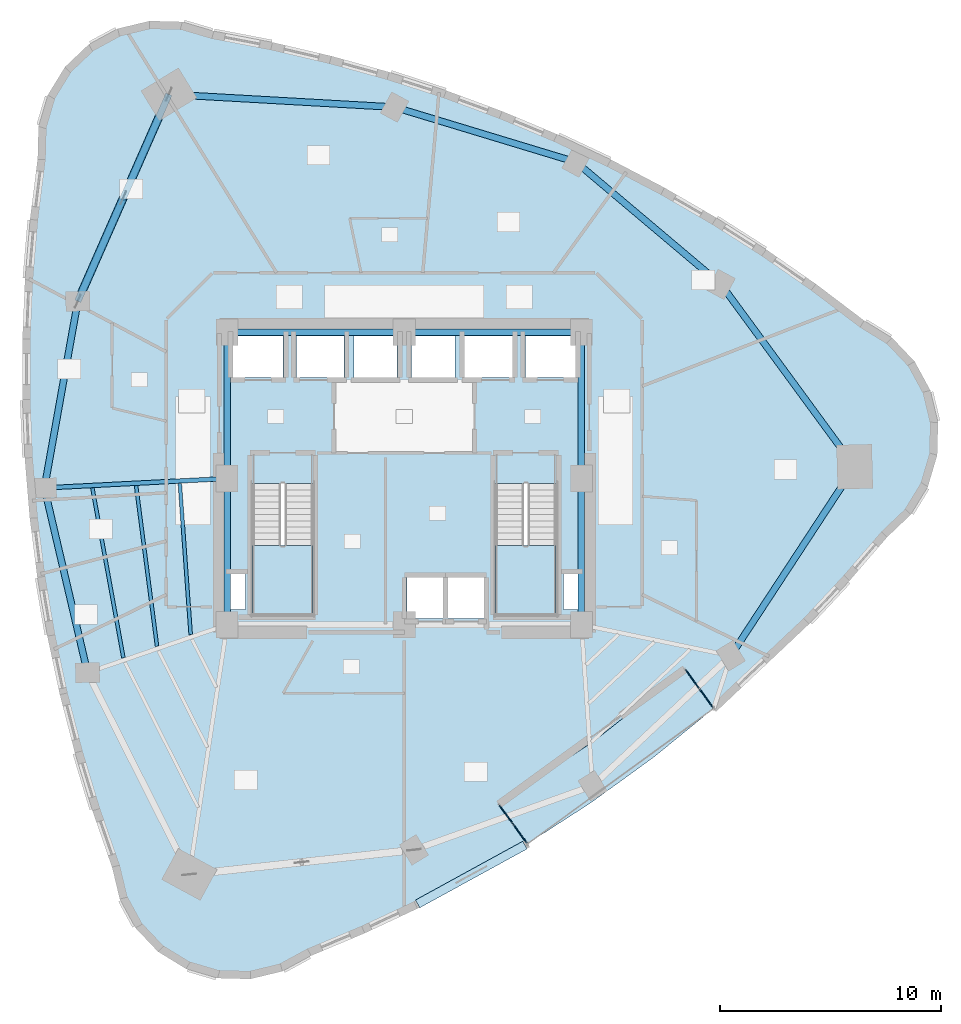
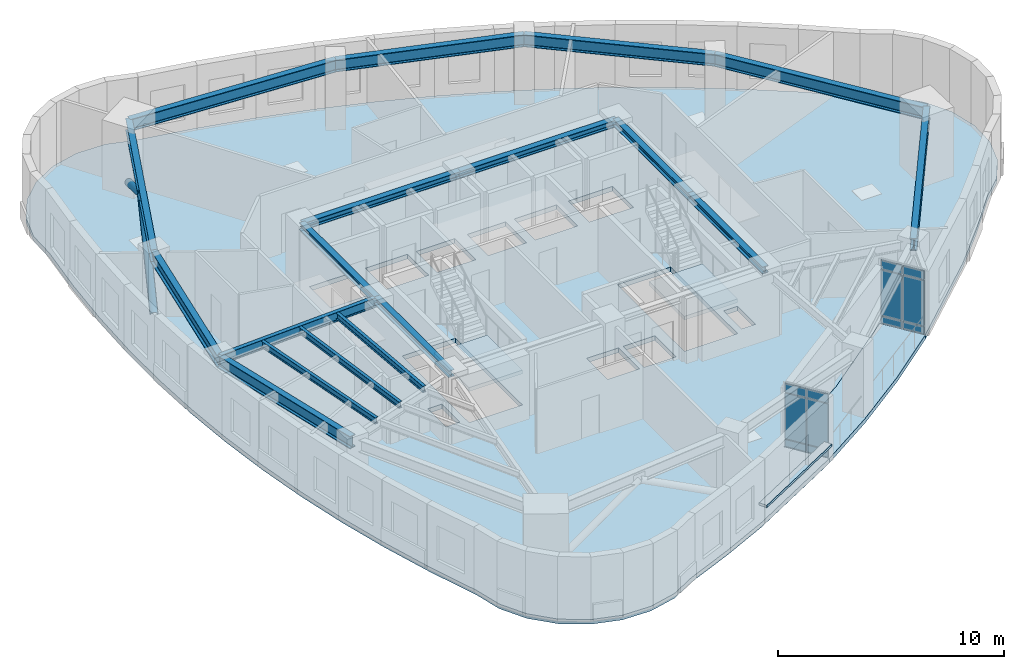
# One storey, part 4 of 12: 18 beams, 13 plates, 4 slabs, 2 members, 4 elements without a shape of their own.
"""IFC4 building model written with IfcOpenShell, lengths in metres."""

import ifcopenshell
import ifcopenshell.guid

model = None  # the IFC model being written
_history = None  # IfcOwnerHistory: only IFC2X3 demands one
_inside = {}  # id of a spatial element -> (the spatial element, [elements in it])
_under = {}  # id of a project, library or spatial element -> (it, [spatial elements below it])
_declared = {}  # id of a project -> (the project, [libraries it declares])
_typed = {}  # id of a type object -> (the type object, [elements of that type])
_made_of = {}  # id of a material, layer set ... -> (it, [elements and type objects made of it])


def new_model(schema):
    """Start an empty IFC model of exactly this schema.

    Asked for "IFC4X3", IfcOpenShell would pick the latest addendum, in which some entities
    have other attributes; the version numbers below select the first issue.
    IFC2X3 requires an IfcOwnerHistory on every rooted entity: one is made here for all.
    """
    global model, _history
    if schema == "IFC4X3":
        model = ifcopenshell.file(schema_version=(4, 3, 0, 0))
    else:
        model = ifcopenshell.file(schema=schema)
    _inside.clear()
    _under.clear()
    _declared.clear()
    _typed.clear()
    _made_of.clear()
    _history = None
    if model.schema == "IFC2X3":
        org = make("IfcOrganization", Name="unknown")
        user = make(
            "IfcPersonAndOrganization",
            ThePerson=make("IfcPerson", FamilyName="unknown"),
            TheOrganization=org,
        )
        app = make(
            "IfcApplication",
            ApplicationDeveloper=org,
            Version="unknown",
            ApplicationFullName="unknown",
            ApplicationIdentifier="unknown",
        )
        _history = make(
            "IfcOwnerHistory",
            OwningUser=user,
            OwningApplication=app,
            ChangeAction="ADDED",
            CreationDate=0,
        )
    return model


def make(cls, **values):
    """One entity of the class cls with the attributes given. An attribute that is None is left unset."""
    return model.create_entity(
        cls, **{name: value for name, value in values.items() if value is not None}
    )


def rooted(cls, **values):
    """An entity with a GlobalId (a new one), such as an element, a storey or a relation."""
    return make(cls, GlobalId=ifcopenshell.guid.new(), OwnerHistory=_history, **values)


def si_unit(unit_type, name, prefix=None):
    """IfcSIUnit, for example si_unit("LENGTHUNIT", "METRE", prefix="MILLI")."""
    return make("IfcSIUnit", UnitType=unit_type, Prefix=prefix, Name=name)


def assignment(units):
    """IfcUnitAssignment: the units of a project."""
    return None if units is None else make("IfcUnitAssignment", Units=units)


def point(xyz):
    """IfcCartesianPoint."""
    return None if xyz is None else make("IfcCartesianPoint", Coordinates=xyz)


def direction(xyz):
    """IfcDirection."""
    return None if xyz is None else make("IfcDirection", DirectionRatios=xyz)


def frame(location, z_axis=None, x_axis=None):
    """IfcAxis2Placement3D, a coordinate frame: its origin and axes. An axis left out is left unset."""
    return make(
        "IfcAxis2Placement3D",
        Location=point(location),
        Axis=direction(z_axis),
        RefDirection=direction(x_axis),
    )


def frame_2d(location, x_axis=None):
    """IfcAxis2Placement2D, a coordinate frame in the plane: its origin and x axis."""
    return make(
        "IfcAxis2Placement2D", Location=point(location), RefDirection=direction(x_axis)
    )


def origin():
    """The frame at (0, 0, 0) with its axes left unset."""
    return frame((0.0, 0.0, 0.0))


def origin_2d():
    """The frame at (0, 0) in the plane with its x axis left unset."""
    return frame_2d((0.0, 0.0))


def place(relative_to, where):
    """IfcLocalPlacement: puts the frame where relative to a parent placement (None: the world)."""
    return make(
        "IfcLocalPlacement", PlacementRelTo=relative_to, RelativePlacement=where
    )


def context(
    kind, dimensions, precision=None, world=None, true_north=None, identifier=None
):
    """IfcGeometricRepresentationContext, for example the 3D "Model" context."""
    return make(
        "IfcGeometricRepresentationContext",
        ContextIdentifier=identifier,
        ContextType=kind,
        CoordinateSpaceDimension=dimensions,
        Precision=precision,
        WorldCoordinateSystem=world,
        TrueNorth=true_north,
    )


def subcontext(parent, identifier, kind, view, scale=None):
    """IfcGeometricRepresentationSubContext, for example "Body" below "Model"."""
    return make(
        "IfcGeometricRepresentationSubContext",
        ContextIdentifier=identifier,
        ContextType=kind,
        ParentContext=parent,
        TargetScale=scale,
        TargetView=view,
    )


def project(units=None, contexts=None):
    """IfcProject with its units and contexts."""
    return rooted(
        "IfcProject",
        Name="project",
        RepresentationContexts=contexts,
        UnitsInContext=assignment(units),
    )


def spatial(cls, under=None, at=None, **own):
    """A site, building, storey or space (cls), placed at a placement, below another one or the project."""
    s = rooted(cls, ObjectPlacement=at, **own)
    if under is not None:
        _under.setdefault(under.id(), (under, []))[1].append(s)
    return s


def polyline(points):
    """IfcPolyline through the points."""
    return make("IfcPolyline", Points=[point(p) for p in points])


def profile(cls, at=None, kind="AREA", **sizes):
    """A parametric profile (cls). Its sizes go by their IFC names, for example OverallWidth=200.0."""
    return make(cls, ProfileType=kind, Position=at, **sizes)


def rectangle(**sizes):
    """IfcRectangleProfileDef."""
    return profile("IfcRectangleProfileDef", **sizes)


def hollow_circle(**sizes):
    """IfcCircleHollowProfileDef."""
    return profile("IfcCircleHollowProfileDef", **sizes)


def i_section(**sizes):
    """IfcIShapeProfileDef."""
    return profile("IfcIShapeProfileDef", **sizes)


def outline(outer, holes=None, kind="AREA"):
    """IfcArbitraryClosedProfileDef: a profile drawn as a closed curve; with holes, ...WithVoids."""
    if holes is None:
        return make("IfcArbitraryClosedProfileDef", ProfileType=kind, OuterCurve=outer)
    return make(
        "IfcArbitraryProfileDefWithVoids",
        ProfileType=kind,
        OuterCurve=outer,
        InnerCurves=holes,
    )


def extrude(swept, where, along, depth):
    """IfcExtrudedAreaSolid: the profile swept, set in the frame where, extruded along a direction by depth."""
    return make(
        "IfcExtrudedAreaSolid",
        SweptArea=swept,
        Position=where,
        ExtrudedDirection=direction(along),
        Depth=depth,
    )


def shape(context_of_items, identifier, shape_type, items):
    """IfcShapeRepresentation: the items that make up one representation, for example the "Body"."""
    return make(
        "IfcShapeRepresentation",
        ContextOfItems=context_of_items,
        RepresentationIdentifier=identifier,
        RepresentationType=shape_type,
        Items=items,
    )


def material(Name=None, Category=None):
    """IfcMaterial."""
    return make("IfcMaterial", Name=Name, Category=Category)


def layer(
    of_material, thickness, ventilated=None, Name=None, Category=None, Priority=None
):
    """IfcMaterialLayer: one layer of a wall or slab, of a material (None: an air gap)."""
    return make(
        "IfcMaterialLayer",
        Material=of_material,
        LayerThickness=thickness,
        IsVentilated=ventilated,
        Name=Name,
        Category=Category,
        Priority=Priority,
    )


def layer_set(layers, Name=None):
    """IfcMaterialLayerSet."""
    return make("IfcMaterialLayerSet", MaterialLayers=layers, LayerSetName=Name)


def material_profile(
    of_material, cross_section, Name=None, Category=None, Priority=None
):
    """IfcMaterialProfile: a cross section and its material."""
    return make(
        "IfcMaterialProfile",
        Name=Name,
        Material=of_material,
        Profile=cross_section,
        Priority=Priority,
        Category=Category,
    )


def profile_set(profiles, Name=None, composite=None):
    """IfcMaterialProfileSet."""
    return make(
        "IfcMaterialProfileSet",
        Name=Name,
        MaterialProfiles=profiles,
        CompositeProfile=composite,
    )


def made_of(thing, what):
    """Note that an element or type object is made of a material, layer set ...; save() writes the relation."""
    if what is not None:
        _made_of.setdefault(what.id(), (what, []))[1].append(thing)
    return thing


def type_object(cls, material=None, **own):
    """A type object (cls), such as IfcWallType, which elements share."""
    return made_of(rooted(cls, **own), material)


def element(
    cls,
    number,
    at=None,
    inside=None,
    cuts=None,
    type_object=None,
    material=None,
    context=None,
    identifier="Body",
    shape_type=None,
    held_by="IfcProductDefinitionShape",
    body=None,
    shapes=None,
    **own,
):
    """One element of the class cls, such as IfcWall. Its Tag is "e" and its number.

    at: its placement. inside: the storey or other place that contains it. cuts: it is an
    opening in that element (IfcRelVoidsElement). A single representation is given by context,
    identifier, shape_type and body (its items); several are given by shapes. held_by: the class
    of the entity that holds the representations. save() writes the other relations.
    """
    e = rooted(cls, Tag="e%d" % number, ObjectPlacement=at, **own)
    if body is not None:
        shapes = [shape(context, identifier, shape_type, body)]
    if shapes is not None:
        e.Representation = make(held_by, Representations=shapes)
    if inside is not None:
        _inside.setdefault(inside.id(), (inside, []))[1].append(e)
    if cuts is not None:
        rooted(
            "IfcRelVoidsElement", RelatingBuildingElement=cuts, RelatedOpeningElement=e
        )
    if type_object is not None:
        _typed.setdefault(type_object.id(), (type_object, []))[1].append(e)
    return made_of(e, material)


def aggregate(whole, parts):
    """IfcRelAggregates: a whole, such as a stair, and the parts it consists of."""
    return rooted("IfcRelAggregates", RelatingObject=whole, RelatedObjects=parts)


def save(model, path):
    """Write the relations noted so far, then the file.

    IfcRelAggregates (storeys below a building ...), IfcRelContainedInSpatialStructure (elements
    in a storey), IfcRelDefinesByType, IfcRelAssociatesMaterial and IfcRelDeclares: one each for
    every whole, place, type object, material and project.
    """
    for whole, parts in _under.values():
        aggregate(whole, parts)
    for where, things in _inside.values():
        rooted(
            "IfcRelContainedInSpatialStructure",
            RelatedElements=things,
            RelatingStructure=where,
        )
    for kind, things in _typed.values():
        rooted("IfcRelDefinesByType", RelatedObjects=things, RelatingType=kind)
    for what, things in _made_of.values():
        rooted("IfcRelAssociatesMaterial", RelatedObjects=things, RelatingMaterial=what)
    for by, libraries in _declared.values():
        rooted("IfcRelDeclares", RelatingContext=by, RelatedDefinitions=libraries)
    model.write(path)


model = new_model("IFC4")

# Units and contexts
model_context = context("Model", 3, precision=1e-05, world=origin(), true_north=direction((0.0, 1.0)))
body_context = subcontext(model_context, "Body", "Model", "MODEL_VIEW")
ifc_project = project(units=[si_unit("LENGTHUNIT", "METRE"), si_unit("AREAUNIT", "SQUARE_METRE"), si_unit("VOLUMEUNIT", "CUBIC_METRE"), si_unit("PLANEANGLEUNIT", "RADIAN"), si_unit("MASSUNIT", "GRAM", prefix="KILO")], contexts=[model_context])

# Site, building, storey
site_placement = place(None, origin())
site = spatial("IfcSite", under=ifc_project, at=site_placement, CompositionType="ELEMENT")
building_placement = place(site_placement, origin())
building = spatial("IfcBuilding", under=site, at=building_placement, Name="Ndelora Gate Hotel", CompositionType="ELEMENT")
storey_placement = place(building_placement, frame((0.0, 0.0, 149.75)))
storey = spatial("IfcBuildingStorey", under=building, at=storey_placement, Name="L37", CompositionType="ELEMENT", Elevation=149.75)

# Beams
ifc_material_1 = material(Name="Steel S355", Category="steel")
ifc_material_profile_1 = material_profile(ifc_material_1, i_section(OverallWidth=0.300048828125, OverallDepth=0.360107421875, WebThickness=0.012451171875, FlangeThickness=0.0224609375, FilletRadius=0.027099609375, at=origin_2d()), Name="HEB 360")
ifc_profile_set_1 = profile_set([ifc_material_profile_1], Name="Steel S355")
beam_type_1 = type_object("IfcBeamType", Name="BM-CORE-360", PredefinedType="BEAM", material=ifc_profile_set_1)
for number, where, z_axis, x_axis, name in (
    (1, (-8.0, 6.60009765625, 3.320068359375), (1.0, 0.0, 0.0), (0.0, 1.0, 0.0), "L37 Core Tie Girder CC7-CC6"),
    (2, (0.0, 6.60009765625, 3.320068359375), (1.0, 0.0, 0.0), (0.0, 1.0, 0.0), "L37 Core Tie Girder CC6-CC5"),
):
    element("IfcBeam", number, at=place(storey_placement, frame(where, z_axis=z_axis, x_axis=x_axis)), inside=storey, type_object=beam_type_1, Name=name, PredefinedType="BEAM", context=body_context, shape_type="SweptSolid", body=[
        extrude(i_section(OverallWidth=0.300048828125, OverallDepth=0.360107421875, WebThickness=0.012451171875, FlangeThickness=0.0224609375, FilletRadius=0.027099609375, at=origin_2d()), origin(), (0.0, 0.0, 1.0), 8.0),
    ])
for number, where, z_axis, x_axis, name in (
    (3, (-8.0, -6.60009765625, 3.320068359375), (0.0, 1.0, 0.0), (-1.0, 0.0, 0.0), "L37 Core Tie Girder CC1-CC8"),
    (4, (-8.0, 0.0, 3.320068359375), (0.0, 1.0, 0.0), (-1.0, 0.0, 0.0), "L37 Core Tie Girder CC8-CC7"),
    (5, (8.0, -6.60009765625, 3.320068359375), (0.0, 1.0, 0.0), (-1.0, 0.0, 0.0), "L37 Core Tie Girder CC3-CC4"),
    (6, (8.0, 0.0, 3.320068359375), (0.0, 1.0, 0.0), (-1.0, 0.0, 0.0), "L37 Core Tie Girder CC4-CC5"),
):
    element("IfcBeam", number, at=place(storey_placement, frame(where, z_axis=z_axis, x_axis=x_axis)), inside=storey, type_object=beam_type_1, Name=name, PredefinedType="BEAM", context=body_context, shape_type="SweptSolid", body=[
        extrude(i_section(OverallWidth=0.300048828125, OverallDepth=0.360107421875, WebThickness=0.012451171875, FlangeThickness=0.0224609375, FilletRadius=0.027099609375, at=origin_2d()), origin(), (0.0, 0.0, 1.0), 6.60009765625),
    ])
ifc_material_profile_2 = material_profile(ifc_material_1, i_section(OverallWidth=0.159912109375, OverallDepth=0.330078125, WebThickness=0.007568359375, FlangeThickness=0.011474609375, FilletRadius=0.01806640625, at=origin_2d()), Name="IPE 330")
ifc_profile_set_2 = profile_set([ifc_material_profile_2], Name="Steel S355")
beam_type_2 = type_object("IfcBeamType", Name="BM-JST-330", PredefinedType="JOIST", material=ifc_profile_set_2)
beam_1_placement = place(storey_placement, frame((-10.138427734375, -0.220458984375, 3.3349609375), z_axis=(0.07162945927, -0.997431311201, 0.0), x_axis=(0.997431311201, 0.07162945927, 0.0)))
element("IfcBeam", 7, at=beam_1_placement, inside=storey, type_object=beam_type_2, Name="L37 Secondary Composite Floor Joist IN-3", PredefinedType="JOIST", context=body_context, shape_type="SweptSolid", body=[
    extrude(i_section(OverallWidth=0.159912109375, OverallDepth=0.330078125, WebThickness=0.007568359375, FlangeThickness=0.011474609375, FilletRadius=0.01806640625, at=origin_2d()), origin(), (0.0, 0.0, 1.0), 6.850830078125),
])
beam_2_placement = place(storey_placement, frame((-12.113525390625, -0.322021484375, 3.3349609375), z_axis=(0.12927924943, -0.991608226906, 0.0), x_axis=(0.991608226906, 0.12927924943, 0.0)))
element("IfcBeam", 8, at=beam_2_placement, inside=storey, type_object=beam_type_2, Name="L37 Secondary Composite Floor Joist MID-3", PredefinedType="JOIST", context=body_context, shape_type="SweptSolid", body=[
    extrude(i_section(OverallWidth=0.159912109375, OverallDepth=0.330078125, WebThickness=0.007568359375, FlangeThickness=0.011474609375, FilletRadius=0.01806640625, at=origin_2d()), origin(), (0.0, 0.0, 1.0), 7.31396484375),
])
beam_3_placement = place(storey_placement, frame((-14.089111328125, -0.423095703125, 3.3349609375), z_axis=(0.179733770179, -0.983715290039, 0.0), x_axis=(0.983715290039, 0.179733770179, 0.0)))
element("IfcBeam", 9, at=beam_3_placement, inside=storey, type_object=beam_type_2, Name="L37 Secondary Composite Floor Joist OUT-3", PredefinedType="JOIST", context=body_context, shape_type="SweptSolid", body=[
    extrude(i_section(OverallWidth=0.159912109375, OverallDepth=0.330078125, WebThickness=0.007568359375, FlangeThickness=0.011474609375, FilletRadius=0.01806640625, at=origin_2d()), origin(), (0.0, 0.0, 1.0), 7.799560546875),
])
ifc_material_profile_3 = material_profile(ifc_material_1, i_section(OverallWidth=0.199951171875, OverallDepth=0.5, WebThickness=0.01025390625, FlangeThickness=0.01611328125, FilletRadius=0.02099609375, at=origin_2d()), Name="IPE 500")
ifc_profile_set_3 = profile_set([ifc_material_profile_3], Name="Steel S355")
beam_type_3 = type_object("IfcBeamType", Name="BM-RAD-500", PredefinedType="BEAM", material=ifc_profile_set_3)
beam_4_placement = place(storey_placement, frame((-8.0, 0.0, 3.25), z_axis=(-0.998672591881, -0.051507807424, 0.0), x_axis=(0.051507807424, -0.998672591881, 0.0)))
element("IfcBeam", 10, at=beam_4_placement, inside=storey, type_object=beam_type_3, Name="L37 Radial Floor Girder 3", PredefinedType="BEAM", context=body_context, shape_type="SweptSolid", body=[
    extrude(i_section(OverallWidth=0.199951171875, OverallDepth=0.5, WebThickness=0.01025390625, FlangeThickness=0.01611328125, FilletRadius=0.02099609375, at=origin_2d()), origin(), (0.0, 0.0, 1.0), 8.266357421875),
])
ifc_material_profile_4 = material_profile(ifc_material_1, i_section(OverallWidth=0.300048828125, OverallDepth=0.64990234375, WebThickness=0.01611328125, FlangeThickness=0.031005859375, FilletRadius=0.027099609375, at=origin_2d()), Name="HEB 650")
ifc_profile_set_4 = profile_set([ifc_material_profile_4], Name="Steel S355")
beam_type_4 = type_object("IfcBeamType", Name="BM-RING-650", PredefinedType="SPANDREL", material=ifc_profile_set_4)
beam_5_placement = place(storey_placement, frame((-10.63330078125, 17.351806640625, 3.175048828125), z_axis=(-0.402852396707, -0.915264959707, 0.0), x_axis=(0.915264959707, -0.402852396707, 0.0)))
element("IfcBeam", 11, at=beam_5_placement, inside=storey, type_object=beam_type_4, Name="L37 Perimeter Spandrel Girder 1", PredefinedType="SPANDREL", context=body_context, shape_type="SweptSolid", body=[
    extrude(i_section(OverallWidth=0.300048828125, OverallDepth=0.64990234375, WebThickness=0.01611328125, FlangeThickness=0.031005859375, FilletRadius=0.027099609375, at=origin_2d()), origin(), (0.0, 0.0, 1.0), 10.21044921875),
])
beam_6_placement = place(storey_placement, frame((-14.74658203125, 8.006591796875, 3.175048828125), z_axis=(-0.176130938817, -0.984366746894, 0.0), x_axis=(0.984366746894, -0.176130938817, 0.0)))
element("IfcBeam", 12, at=beam_6_placement, inside=storey, type_object=beam_type_4, Name="L37 Perimeter Spandrel Girder 2", PredefinedType="SPANDREL", context=body_context, shape_type="SweptSolid", body=[
    extrude(i_section(OverallWidth=0.300048828125, OverallDepth=0.64990234375, WebThickness=0.01611328125, FlangeThickness=0.031005859375, FilletRadius=0.027099609375, at=origin_2d()), origin(), (0.0, 0.0, 1.0), 8.56640625),
])
beam_7_placement = place(storey_placement, frame((-16.25537109375, -0.42578125, 3.175048828125), z_axis=(0.227404398157, -0.973800410607, 0.0), x_axis=(0.973800410607, 0.227404398157, 0.0)))
element("IfcBeam", 13, at=beam_7_placement, inside=storey, type_object=beam_type_4, Name="L37 Perimeter Spandrel Girder 3", PredefinedType="SPANDREL", context=body_context, shape_type="SweptSolid", body=[
    extrude(i_section(OverallWidth=0.300048828125, OverallDepth=0.64990234375, WebThickness=0.01611328125, FlangeThickness=0.031005859375, FilletRadius=0.027099609375, at=origin_2d()), origin(), (0.0, 0.0, 1.0), 8.566162109375),
])
for number, where, z_axis, x_axis, name in (
    (14, (14.74658203125, -8.006591796875, 3.175048828125), (0.548194123818, 0.836351123998, 0.0), (-0.836351123998, 0.548194123818, 0.0), "L37 Perimeter Spandrel Girder 8"),
    (15, (20.34375, 0.53271484375, 3.175048828125), (-0.591229932094, 0.806503048597, 0.0), (-0.806503048597, -0.591229932094, 0.0), "L37 Perimeter Spandrel Girder 9"),
):
    element("IfcBeam", number, at=place(storey_placement, frame(where, z_axis=z_axis, x_axis=x_axis)), inside=storey, type_object=beam_type_4, Name=name, PredefinedType="SPANDREL", context=body_context, shape_type="SweptSolid", body=[
        extrude(i_section(OverallWidth=0.300048828125, OverallDepth=0.64990234375, WebThickness=0.01611328125, FlangeThickness=0.031005859375, FilletRadius=0.027099609375, at=origin_2d()), origin(), (0.0, 0.0, 1.0), 10.210205078125),
    ])
beam_8_placement = place(storey_placement, frame((14.30712890625, 8.767333984375, 3.175048828125), z_axis=(-0.76440691948, 0.644734101356, 0.0), x_axis=(-0.644734101356, -0.76440691948, 0.0)))
element("IfcBeam", 16, at=beam_8_placement, inside=storey, type_object=beam_type_4, Name="L37 Perimeter Spandrel Girder 10", PredefinedType="SPANDREL", context=body_context, shape_type="SweptSolid", body=[
    extrude(i_section(OverallWidth=0.300048828125, OverallDepth=0.64990234375, WebThickness=0.01611328125, FlangeThickness=0.031005859375, FilletRadius=0.027099609375, at=origin_2d()), origin(), (0.0, 0.0, 1.0), 8.566162109375),
])
beam_9_placement = place(storey_placement, frame((7.759033203125, 14.290283203125, 3.175048828125), z_axis=(-0.957030396662, 0.289987620192, 0.0), x_axis=(-0.289987620192, -0.957030396662, 0.0)))
element("IfcBeam", 17, at=beam_9_placement, inside=storey, type_object=beam_type_4, Name="L37 Perimeter Spandrel Girder 11", PredefinedType="SPANDREL", context=body_context, shape_type="SweptSolid", body=[
    extrude(i_section(OverallWidth=0.300048828125, OverallDepth=0.64990234375, WebThickness=0.01611328125, FlangeThickness=0.031005859375, FilletRadius=0.027099609375, at=origin_2d()), origin(), (0.0, 0.0, 1.0), 8.56640625),
])
beam_10_placement = place(storey_placement, frame((-0.439208984375, 16.7744140625, 3.175048828125), z_axis=(-0.998399808671, 0.056549288648, 0.0), x_axis=(-0.056549288648, -0.998399808671, 0.0)))
element("IfcBeam", 18, at=beam_10_placement, inside=storey, type_object=beam_type_4, Name="L37 Perimeter Spandrel Girder 12", PredefinedType="SPANDREL", context=body_context, shape_type="SweptSolid", body=[
    extrude(i_section(OverallWidth=0.300048828125, OverallDepth=0.64990234375, WebThickness=0.01611328125, FlangeThickness=0.031005859375, FilletRadius=0.027099609375, at=origin_2d()), origin(), (0.0, 0.0, 1.0), 10.21044921875),
])

# Members
ifc_material_profile_5 = material_profile(ifc_material_1, hollow_circle(Radius=0.177978515625, WallThickness=0.01611328125, at=origin_2d()), Name="CHS 356x16")
ifc_profile_set_5 = profile_set([ifc_material_profile_5], Name="Steel S355")
member_type = type_object("IfcMemberType", Name="MB-TUBE-356", PredefinedType="BRACE", material=ifc_profile_set_5)
for number, where, z_axis, x_axis, name in (
    (19, (-10.63330078125, 17.351806640625, 0.02001953125), (-0.34939949201, -0.793822041498, 0.497761550761), (0.915264959707, -0.402852396707, 0.0), "L37 Perimeter Braced-Tube Diagonal 1A"),
    (20, (-14.74658203125, 8.006591796875, 0.02001953125), (0.34939949201, 0.793822041498, 0.497761550761), (-0.915264959707, 0.402852396707, 0.0), "L37 Perimeter Braced-Tube Diagonal 1B"),
):
    element("IfcMember", number, at=place(storey_placement, frame(where, z_axis=z_axis, x_axis=x_axis)), inside=storey, type_object=member_type, Name=name, PredefinedType="BRACE", context=body_context, shape_type="SweptSolid", body=[
        extrude(hollow_circle(Radius=0.177978515625, WallThickness=0.01611328125, at=origin_2d()), origin(), (0.0, 0.0, 1.0), 5.88623046875),
    ])

# Curtain wall, plates
ifc_material_2 = material(Name="Bronze Anodised Unitised Aluminium and Low-E Glass", Category="aluminium")
ifc_layer_1 = layer(ifc_material_2, 0.199951171875)
ifc_layer_set_1 = layer_set([ifc_layer_1], Name="Bronze Anodised Unitised Aluminium and Low-E Glass")
curtain_wall_type = type_object("IfcCurtainWallType", Name="CW-SYS-3", PredefinedType="NOTDEFINED", material=ifc_layer_set_1)
curtain_wall_1_placement = place(storey_placement, origin())
curtain_wall_1 = element("IfcCurtainWall", 21, at=curtain_wall_1_placement, inside=storey, type_object=curtain_wall_type, Name="L37 Sky-Garden Loggia Side Curtain Wall CW3-1", PredefinedType="NOTDEFINED")
ifc_material_3 = material(Name="Solar-Control Low-E Insulated Glazing", Category="glass")
ifc_layer_2 = layer(ifc_material_3, 0.048095703125)
ifc_layer_set_2 = layer_set([ifc_layer_2], Name="Solar-Control Low-E Insulated Glazing")
plate_type_1 = type_object("IfcPlateType", Name="PL-CW-GLZ36", PredefinedType="CURTAIN_PANEL", material=ifc_layer_set_2)
plate_1_placement = place(storey_placement, frame((4.59912109375, -15.177001953125, 0.05908203125), z_axis=(0.0, 0.0, 1.0), x_axis=(0.587785135859, -0.809017078969, 0.0)))
plate_1 = element("IfcPlate", 22, at=plate_1_placement, type_object=plate_type_1, Name="CW3 panel 1.1", PredefinedType="CURTAIN_PANEL", context=body_context, shape_type="SweptSolid", body=[
    extrude(rectangle(XDim=1.014404296875, YDim=0.048095703125, at=origin_2d()), origin(), (0.0, 0.0, 1.0), 0.364501953125),
])
plate_2_placement = place(storey_placement, frame((4.59912109375, -15.177001953125, 0.4765625), z_axis=(0.0, 0.0, 1.0), x_axis=(0.587785135859, -0.809017078969, 0.0)))
plate_2 = element("IfcPlate", 23, at=plate_2_placement, type_object=plate_type_1, Name="CW3 panel 1.2", PredefinedType="CURTAIN_PANEL", context=body_context, shape_type="SweptSolid", body=[
    extrude(rectangle(XDim=1.014404296875, YDim=0.048095703125, at=origin_2d()), origin(), (0.0, 0.0, 1.0), 2.447021484375),
])
plate_3_placement = place(storey_placement, frame((4.59912109375, -15.177001953125, 2.9765625), z_axis=(0.0, 0.0, 1.0), x_axis=(0.587785135859, -0.809017078969, 0.0)))
plate_3 = element("IfcPlate", 24, at=plate_3_placement, type_object=plate_type_1, Name="CW3 panel 1.3", PredefinedType="CURTAIN_PANEL", context=body_context, shape_type="SweptSolid", body=[
    extrude(rectangle(XDim=1.014404296875, YDim=0.048095703125, at=origin_2d()), origin(), (0.0, 0.0, 1.0), 0.464599609375),
])
plate_4_placement = place(storey_placement, frame((5.2265625, -16.040771484375, 0.05908203125), z_axis=(0.0, 0.0, 1.0), x_axis=(0.587785135859, -0.809017078969, 0.0)))
plate_4 = element("IfcPlate", 25, at=plate_4_placement, type_object=plate_type_1, Name="CW3 panel 2.1", PredefinedType="CURTAIN_PANEL", context=body_context, shape_type="SweptSolid", body=[
    extrude(rectangle(XDim=1.014404296875, YDim=0.048095703125, at=origin_2d()), origin(), (0.0, 0.0, 1.0), 0.364501953125),
])
plate_5_placement = place(storey_placement, frame((5.2265625, -16.040771484375, 0.4765625), z_axis=(0.0, 0.0, 1.0), x_axis=(0.587785135859, -0.809017078969, 0.0)))
plate_5 = element("IfcPlate", 26, at=plate_5_placement, type_object=plate_type_1, Name="CW3 panel 2.2", PredefinedType="CURTAIN_PANEL", context=body_context, shape_type="SweptSolid", body=[
    extrude(rectangle(XDim=1.014404296875, YDim=0.048095703125, at=origin_2d()), origin(), (0.0, 0.0, 1.0), 2.447021484375),
])
plate_6_placement = place(storey_placement, frame((5.2265625, -16.040771484375, 2.9765625), z_axis=(0.0, 0.0, 1.0), x_axis=(0.587785135859, -0.809017078969, 0.0)))
plate_6 = element("IfcPlate", 27, at=plate_6_placement, type_object=plate_type_1, Name="CW3 panel 2.3", PredefinedType="CURTAIN_PANEL", context=body_context, shape_type="SweptSolid", body=[
    extrude(rectangle(XDim=1.014404296875, YDim=0.048095703125, at=origin_2d()), origin(), (0.0, 0.0, 1.0), 0.464599609375),
])
aggregate(curtain_wall_1, [plate_1, plate_2, plate_3, plate_4, plate_5, plate_6])

curtain_wall_2_placement = place(storey_placement, origin())
curtain_wall_2 = element("IfcCurtainWall", 28, at=curtain_wall_2_placement, inside=storey, type_object=curtain_wall_type, Name="L37 Sky-Garden Loggia Side Curtain Wall CW3-2", PredefinedType="NOTDEFINED")
plate_7_placement = place(storey_placement, frame((13.640380859375, -9.927734375, 0.05908203125), z_axis=(0.0, 0.0, 1.0), x_axis=(-0.587785135859, 0.809017078969, 0.0)))
plate_7 = element("IfcPlate", 29, at=plate_7_placement, type_object=plate_type_1, Name="CW3 panel 1.1", PredefinedType="CURTAIN_PANEL", context=body_context, shape_type="SweptSolid", body=[
    extrude(rectangle(XDim=1.014404296875, YDim=0.048095703125, at=origin_2d()), origin(), (0.0, 0.0, 1.0), 0.364501953125),
])
plate_8_placement = place(storey_placement, frame((13.640380859375, -9.927734375, 0.4765625), z_axis=(0.0, 0.0, 1.0), x_axis=(-0.587785135859, 0.809017078969, 0.0)))
plate_8 = element("IfcPlate", 30, at=plate_8_placement, type_object=plate_type_1, Name="CW3 panel 1.2", PredefinedType="CURTAIN_PANEL", context=body_context, shape_type="SweptSolid", body=[
    extrude(rectangle(XDim=1.014404296875, YDim=0.048095703125, at=origin_2d()), origin(), (0.0, 0.0, 1.0), 2.447021484375),
])
plate_9_placement = place(storey_placement, frame((13.640380859375, -9.927734375, 2.9765625), z_axis=(0.0, 0.0, 1.0), x_axis=(-0.587785135859, 0.809017078969, 0.0)))
plate_9 = element("IfcPlate", 31, at=plate_9_placement, type_object=plate_type_1, Name="CW3 panel 1.3", PredefinedType="CURTAIN_PANEL", context=body_context, shape_type="SweptSolid", body=[
    extrude(rectangle(XDim=1.014404296875, YDim=0.048095703125, at=origin_2d()), origin(), (0.0, 0.0, 1.0), 0.464599609375),
])
plate_10_placement = place(storey_placement, frame((13.012939453125, -9.064208984375, 0.05908203125), z_axis=(0.0, 0.0, 1.0), x_axis=(-0.587785135859, 0.809017078969, 0.0)))
plate_10 = element("IfcPlate", 32, at=plate_10_placement, type_object=plate_type_1, Name="CW3 panel 2.1", PredefinedType="CURTAIN_PANEL", context=body_context, shape_type="SweptSolid", body=[
    extrude(rectangle(XDim=1.014404296875, YDim=0.048095703125, at=origin_2d()), origin(), (0.0, 0.0, 1.0), 0.364501953125),
])
plate_11_placement = place(storey_placement, frame((13.012939453125, -9.064208984375, 0.4765625), z_axis=(0.0, 0.0, 1.0), x_axis=(-0.587785135859, 0.809017078969, 0.0)))
plate_11 = element("IfcPlate", 33, at=plate_11_placement, type_object=plate_type_1, Name="CW3 panel 2.2", PredefinedType="CURTAIN_PANEL", context=body_context, shape_type="SweptSolid", body=[
    extrude(rectangle(XDim=1.014404296875, YDim=0.048095703125, at=origin_2d()), origin(), (0.0, 0.0, 1.0), 2.447021484375),
])
plate_12_placement = place(storey_placement, frame((13.012939453125, -9.064208984375, 2.9765625), z_axis=(0.0, 0.0, 1.0), x_axis=(-0.587785135859, 0.809017078969, 0.0)))
plate_12 = element("IfcPlate", 34, at=plate_12_placement, type_object=plate_type_1, Name="CW3 panel 2.3", PredefinedType="CURTAIN_PANEL", context=body_context, shape_type="SweptSolid", body=[
    extrude(rectangle(XDim=1.014404296875, YDim=0.048095703125, at=origin_2d()), origin(), (0.0, 0.0, 1.0), 0.464599609375),
])
aggregate(curtain_wall_2, [plate_7, plate_8, plate_9, plate_10, plate_11, plate_12])

# Plate
ifc_material_4 = material(Name="Precast concrete C40/50", Category="concrete")
ifc_layer_3 = layer(ifc_material_4, 0.125)
ifc_layer_set_3 = layer_set([ifc_layer_3], Name="Precast concrete C40/50")
plate_type_2 = type_object("IfcPlateType", Name="PL-SILL-120", PredefinedType="USERDEFINED", material=ifc_layer_set_3)
plate_13_placement = place(storey_placement, frame((3.026123046875, -17.88623046875, 0.78759765625), z_axis=(0.0, 0.0, 1.0), x_axis=(0.877062335535, 0.480376581014, 0.0)))
element("IfcPlate", 35, at=plate_13_placement, inside=storey, type_object=plate_type_2, Name="L37 Streamline Precast Ribbon Sill 31", ObjectType="RIBBON_SILL", PredefinedType="USERDEFINED", context=body_context, shape_type="SweptSolid", body=[
    extrude(rectangle(XDim=5.527099609375, YDim=0.39990234375, at=origin_2d()), origin(), (0.0, 0.0, 1.0), 0.125),
])

# Stair, slab
stair_type = type_object("IfcStairType", Name="STR-DOG-CORE", PredefinedType="HALF_TURN_STAIR", material=ifc_material_4)
stair_1_placement = place(storey_placement, origin())
stair_1 = element("IfcStair", 36, at=stair_1_placement, inside=storey, type_object=stair_type, Name="L37 Protected Core Exit Stair ST4", PredefinedType="HALF_TURN_STAIR")
ifc_layer_4 = layer(ifc_material_4, 0.219970703125)
ifc_layer_set_4 = layer_set([ifc_layer_4], Name="Precast concrete C40/50")
slab_type_1 = type_object("IfcSlabType", Name="SL-LAND-220", PredefinedType="LANDING", material=ifc_layer_set_4)
slab_1_placement = place(storey_placement, frame((0.0, 0.0, 1.675048828125)))
slab_1 = element("IfcSlab", 37, at=slab_1_placement, type_object=slab_type_1, Name="ST4 landing 1", PredefinedType="LANDING", context=body_context, shape_type="SweptSolid", body=[
    extrude(outline(polyline([(-6.85009765625, -3.030029296875), (-6.85009765625, -6.14990234375), (-4.1298828125, -6.14990234375), (-4.1298828125, -3.030029296875), (-6.85009765625, -3.030029296875)])), origin(), (0.0, 0.0, 1.0), 0.199951171875),
])
aggregate(stair_1, [slab_1])

stair_2_placement = place(storey_placement, origin())
stair_2 = element("IfcStair", 38, at=stair_2_placement, inside=storey, type_object=stair_type, Name="L37 Protected Core Exit Stair ST5", PredefinedType="HALF_TURN_STAIR")
slab_2_placement = place(storey_placement, frame((0.0, 0.0, 1.675048828125)))
slab_2 = element("IfcSlab", 39, at=slab_2_placement, type_object=slab_type_1, Name="ST5 landing 1", PredefinedType="LANDING", context=body_context, shape_type="SweptSolid", body=[
    extrude(outline(polyline([(4.1298828125, -3.030029296875), (4.1298828125, -6.14990234375), (6.85009765625, -6.14990234375), (6.85009765625, -3.030029296875), (4.1298828125, -3.030029296875)])), origin(), (0.0, 0.0, 1.0), 0.199951171875),
])
aggregate(stair_2, [slab_2])

# Slabs
ifc_layer_5 = layer(ifc_material_4, 0.239990234375)
ifc_layer_set_5 = layer_set([ifc_layer_5], Name="Precast concrete C40/50")
slab_type_2 = type_object("IfcSlabType", Name="SL-TER-240", PredefinedType="FLOOR", material=ifc_layer_set_5)
slab_3_placement = place(storey_placement, frame((0.0, 0.0, -0.239990234375)))
element("IfcSlab", 40, at=slab_3_placement, inside=storey, type_object=slab_type_2, Name="L37 Sky Garden Loggia Terrace Slab", PredefinedType="FLOOR", context=body_context, shape_type="SweptSolid", body=[
    extrude(outline(polyline([(4.266357421875, -14.718994140625), (5.5595703125, -16.498779296875), (8.447509765625, -14.635009765625), (11.308349609375, -12.556640625), (13.973388671875, -10.3857421875), (12.68017578125, -8.60595703125), (8.599365234375, -11.836181640625), (4.266357421875, -14.718994140625)])), origin(), (0.0, 0.0, 1.0), 0.239990234375),
])
ifc_material_5 = material(Name="Concrete C40/50", Category="concrete")
ifc_layer_6 = layer(ifc_material_5, 0.25)
ifc_layer_set_6 = layer_set([ifc_layer_6], Name="Concrete C40/50")
slab_type_3 = type_object("IfcSlabType", Name="SL-TWR-250", PredefinedType="FLOOR", material=ifc_layer_set_6)
slab_4_placement = place(storey_placement, frame((0.0, 0.0, -0.25)))
element("IfcSlab", 41, at=slab_4_placement, inside=storey, type_object=slab_type_3, Name="L37 Structural Floor Slab", PredefinedType="FLOOR", context=body_context, shape_type="SweptSolid", body=[
    extrude(outline(polyline([(-8.67236328125, 20.0400390625), (-10.049072265625, 20.447998046875), (-11.484375, 20.485595703125), (-12.880615234375, 20.150390625), (-14.142333984375, 19.465087890625), (-15.183837890625, 18.476806640625), (-15.93408203125, 17.252685546875), (-16.341796875, 15.8759765625), (-16.37939453125, 14.440673828125), (-16.722412109375, 11.7109375), (-16.951904296875, 8.9931640625), (-17.068359375, 6.287109375), (-17.071533203125, 3.593017578125), (-16.96142578125, 0.910888671875), (-16.738037109375, -1.75927734375), (-16.4013671875, -4.41748046875), (-15.951416015625, -7.06396484375), (-15.38818359375, -9.698486328125), (-14.711669921875, -12.321044921875), (-13.922119140625, -14.931884765625), (-13.01904296875, -17.530517578125), (-12.683837890625, -18.9267578125), (-11.998779296875, -20.1884765625), (-11.010498046875, -21.22998046875), (-9.7861328125, -21.980224609375), (-8.40966796875, -22.387939453125), (-6.974365234375, -22.425537109375), (-5.578125, -22.09033203125), (-4.31640625, -21.4052734375), (-1.881103515625, -20.3818359375), (0.49267578125, -19.273681640625), (5.5595703125, -16.498779296875), (4.266357421875, -14.718994140625), (8.599365234375, -11.836181640625), (12.68017578125, -8.60595703125), (13.973388671875, -10.3857421875), (18.177978515625, -6.42431640625), (19.965576171875, -4.509521484375), (21.69140625, -2.509521484375), (22.73291015625, -1.521240234375), (23.483154296875, -0.297119140625), (23.890869140625, 1.07958984375), (23.928466796875, 2.514892578125), (23.593505859375, 3.9111328125), (22.908203125, 5.1728515625), (21.919921875, 6.21435546875), (20.69580078125, 6.964599609375), (18.503173828125, 8.62646484375), (16.26416015625, 10.184326171875), (13.97900390625, 11.637939453125), (11.6474609375, 12.98779296875), (9.26953125, 14.2333984375), (6.845458984375, 15.375), (4.375, 16.41259765625), (1.858154296875, 17.34619140625), (-0.705078125, 18.17578125), (-3.314453125, 18.9013671875), (-5.97021484375, 19.522705078125), (-8.67236328125, 20.0400390625)]), holes=[polyline([(-6.85009765625, -0.22998046875), (-6.85009765625, -6.14990234375), (-4.1298828125, -6.14990234375), (-4.1298828125, -0.22998046875), (-6.85009765625, -0.22998046875)]), polyline([(4.1298828125, -0.22998046875), (4.1298828125, -6.14990234375), (6.85009765625, -6.14990234375), (6.85009765625, -0.22998046875), (4.1298828125, -0.22998046875)]), polyline([(-7.72998046875, 4.570068359375), (-5.469970703125, 4.570068359375), (-5.469970703125, 6.429931640625), (-7.72998046875, 6.429931640625), (-7.72998046875, 4.570068359375)]), polyline([(5.469970703125, 4.570068359375), (7.72998046875, 4.570068359375), (7.72998046875, 6.429931640625), (5.469970703125, 6.429931640625), (5.469970703125, 4.570068359375)]), polyline([(-4.8798828125, 4.570068359375), (-2.719970703125, 4.570068359375), (-2.719970703125, 6.429931640625), (-4.8798828125, 6.429931640625), (-4.8798828125, 4.570068359375)]), polyline([(2.719970703125, 4.570068359375), (4.8798828125, 4.570068359375), (4.8798828125, 6.429931640625), (2.719970703125, 6.429931640625), (2.719970703125, 4.570068359375)]), polyline([(0.1201171875, -6.330078125), (1.739990234375, -6.330078125), (1.739990234375, -4.469970703125), (0.1201171875, -4.469970703125), (0.1201171875, -6.330078125)]), polyline([(1.97998046875, -6.330078125), (3.60009765625, -6.330078125), (3.60009765625, -4.469970703125), (1.97998046875, -4.469970703125), (1.97998046875, -6.330078125)]), polyline([(-2.280029296875, 4.570068359375), (-0.320068359375, 4.570068359375), (-0.320068359375, 6.429931640625), (-2.280029296875, 6.429931640625), (-2.280029296875, 4.570068359375)]), polyline([(0.320068359375, 4.570068359375), (2.280029296875, 4.570068359375), (2.280029296875, 6.429931640625), (0.320068359375, 6.429931640625), (0.320068359375, 4.570068359375)]), polyline([(-7.89990234375, -5.919921875), (-7.179931640625, -5.919921875), (-7.179931640625, -4.320068359375), (-7.89990234375, -4.320068359375), (-7.89990234375, -5.919921875)]), polyline([(7.179931640625, -5.919921875), (7.89990234375, -5.919921875), (7.89990234375, -4.320068359375), (7.179931640625, -4.320068359375), (7.179931640625, -5.919921875)])]), origin(), (0.0, 0.0, 1.0), 0.25),
])

save(model, "model.ifc")
